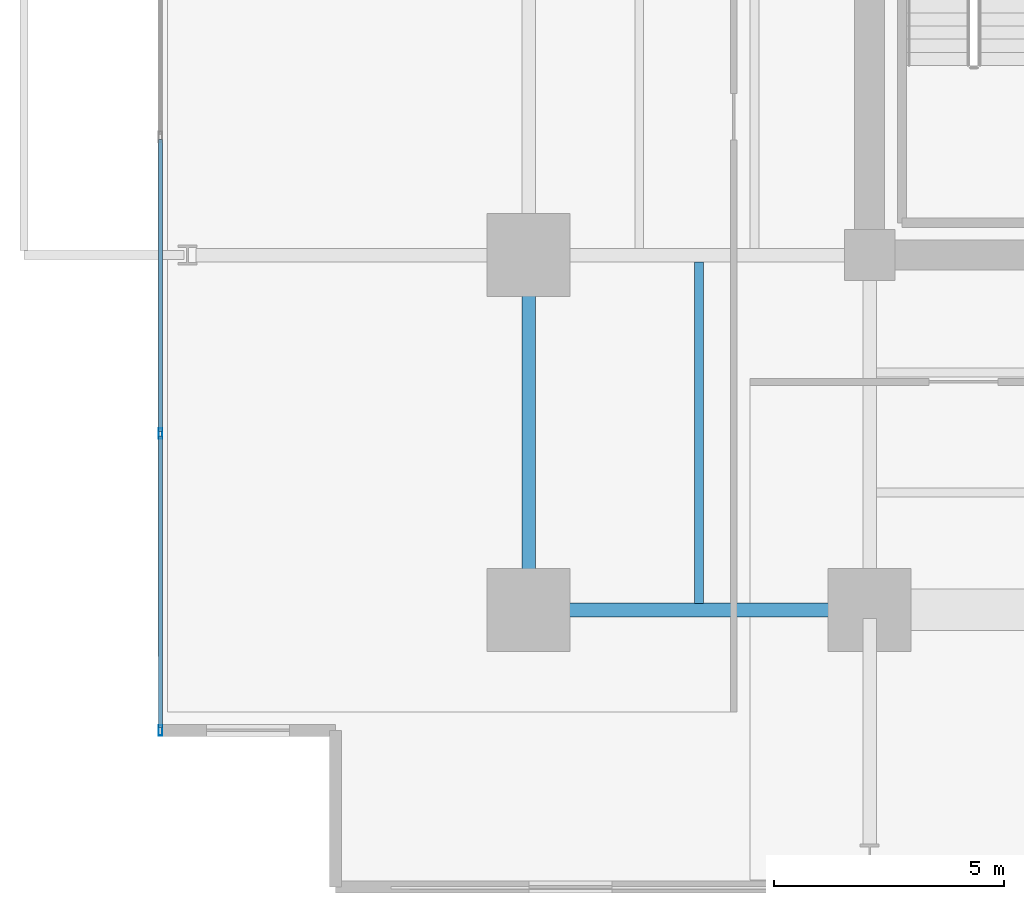
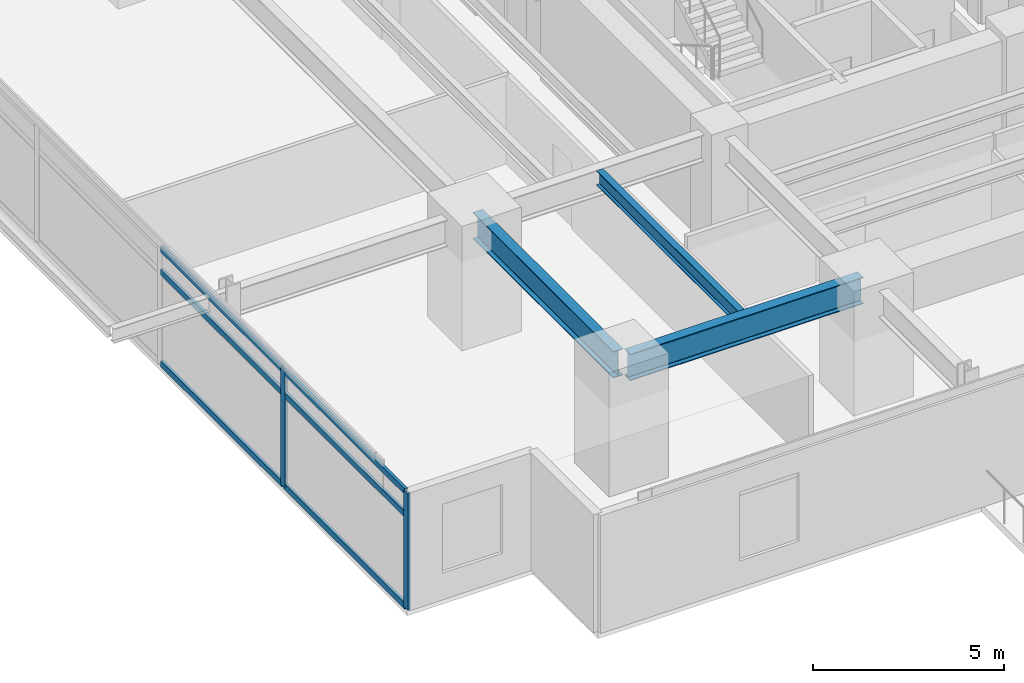
# One storey, part 2 of 24: 8 members, 3 beams, 1 element without a shape of its own.
"""IFC4 building model written with IfcOpenShell, lengths in metres."""

from ifc_helpers import new_model, si_unit, direction, frame, origin, origin_2d, place, context, subcontext, project, spatial, hollow_rectangle, i_section, extrude, material, material_profile, profile_set, type_object, element, aggregate, save


model = new_model("IFC4")

# Units and contexts
model_context = context("Model", 3, precision=1e-05, world=origin(), true_north=direction((0.0, 1.0)))
body_context = subcontext(model_context, "Body", "Model", "MODEL_VIEW")
ifc_project = project(units=[si_unit("LENGTHUNIT", "METRE"), si_unit("AREAUNIT", "SQUARE_METRE"), si_unit("VOLUMEUNIT", "CUBIC_METRE"), si_unit("PLANEANGLEUNIT", "RADIAN"), si_unit("MASSUNIT", "GRAM", prefix="KILO")], contexts=[model_context])

# Site, building, storey
site_placement = place(None, origin())
site = spatial("IfcSite", under=ifc_project, at=site_placement, CompositionType="ELEMENT")
building_placement = place(site_placement, origin())
building = spatial("IfcBuilding", under=site, at=building_placement, Name="Kovane Verandah Tower", CompositionType="ELEMENT")
storey_placement = place(building_placement, frame((0.0, 0.0, 95.60009765625)))
storey = spatial("IfcBuildingStorey", under=building, at=storey_placement, Name="L22", CompositionType="ELEMENT", Elevation=95.60009765625)

# Beams
ifc_material_1 = material(Name="Steel S355", Category="steel")
ifc_material_profile_1 = material_profile(ifc_material_1, i_section(OverallWidth=0.293701171875, OverallDepth=0.850830078125, WebThickness=0.01611328125, FlangeThickness=0.02685546875, FilletRadius=0.017822265625, at=origin_2d()), Name="UB838x292x226")
ifc_profile_set_1 = profile_set([ifc_material_profile_1], Name="Steel S355")
beam_type_1 = type_object("IfcBeamType", Name="BM-UB838x226", PredefinedType="BEAM", material=ifc_profile_set_1)
beam_1_placement = place(storey_placement, frame((21.780029296875, 10.800048828125, 3.33447265625), z_axis=(1.0, 0.0, 0.0), x_axis=(0.0, 1.0, 0.0)))
element("IfcBeam", 1, at=beam_1_placement, inside=storey, type_object=beam_type_1, Name="L22 Primary Tower Girder G-RS1", PredefinedType="BEAM", context=body_context, shape_type="SweptSolid", body=[
    extrude(i_section(OverallWidth=0.293701171875, OverallDepth=0.850830078125, WebThickness=0.01611328125, FlangeThickness=0.02685546875, FilletRadius=0.017822265625, at=origin_2d()), origin(), (0.0, 0.0, 1.0), 7.0400390625),
])
beam_2_placement = place(storey_placement, frame((21.60009765625, 10.97998046875, 3.33447265625), z_axis=(0.0, 1.0, 0.0), x_axis=(-1.0, 0.0, 0.0)))
element("IfcBeam", 2, at=beam_2_placement, inside=storey, type_object=beam_type_1, Name="L22 Primary Tower Girder G-RW1", PredefinedType="BEAM", context=body_context, shape_type="SweptSolid", body=[
    extrude(i_section(OverallWidth=0.293701171875, OverallDepth=0.850830078125, WebThickness=0.01611328125, FlangeThickness=0.02685546875, FilletRadius=0.017822265625, at=origin_2d()), origin(), (0.0, 0.0, 1.0), 7.340087890625),
])

# Curtain wall, members
ifc_material_2 = material(Name="Champagne Anodised Aluminium Frame with Low-E Clear Laminated Glass", Category="aluminium")
curtain_wall_type = type_object("IfcCurtainWallType", Name="CW-SYS-02-LOW", PredefinedType="NOTDEFINED", material=ifc_material_2)
curtain_wall_placement = place(storey_placement, origin())
curtain_wall = element("IfcCurtainWall", 3, at=curtain_wall_placement, inside=storey, type_object=curtain_wall_type, Name="L22 W Unitised Curtain Wall", PredefinedType="NOTDEFINED")
ifc_material_3 = material(Name="Champagne Anodised Aluminium 6063-T6", Category="aluminium")
ifc_material_profile_2 = material_profile(ifc_material_3, hollow_rectangle(XDim=0.0849609375, YDim=0.22998046875, WallThickness=0.00390625, at=origin_2d()), Name="AL85x230x4")
ifc_profile_set_2 = profile_set([ifc_material_profile_2], Name="Champagne Anodised Aluminium 6063-T6")
member_type_1 = type_object("IfcMemberType", Name="CW-MUL-85x230", PredefinedType="MULLION", material=ifc_profile_set_2)
member_1_placement = place(storey_placement, frame((13.613037109375, 14.626220703125, 0.02001953125), z_axis=(0.0, 0.0, 1.0), x_axis=(-1.0, 0.0, 0.0)))
member_1 = element("IfcMember", 4, at=member_1_placement, type_object=member_type_1, Name="L22 W Unitised Curtain Wall Mullion 6", PredefinedType="MULLION", context=body_context, shape_type="SweptSolid", body=[
    extrude(hollow_rectangle(XDim=0.0849609375, YDim=0.22998046875, WallThickness=0.00390625, at=origin_2d()), origin(), (0.0, 0.0, 1.0), 3.719970703125),
])
member_2_placement = place(storey_placement, frame((13.613037109375, 8.189208984375, 0.02001953125), z_axis=(0.0, 0.0, 1.0), x_axis=(-1.0, 0.0, 0.0)))
member_2 = element("IfcMember", 5, at=member_2_placement, type_object=member_type_1, Name="L22 W Unitised Curtain Wall Mullion 7", PredefinedType="MULLION", context=body_context, shape_type="SweptSolid", body=[
    extrude(hollow_rectangle(XDim=0.0849609375, YDim=0.22998046875, WallThickness=0.00390625, at=origin_2d()), origin(), (0.0, 0.0, 1.0), 3.719970703125),
])
ifc_material_profile_3 = material_profile(ifc_material_3, hollow_rectangle(XDim=0.0849609375, YDim=0.18994140625, WallThickness=0.00390625, at=origin_2d()), Name="AL85x190x4")
ifc_profile_set_3 = profile_set([ifc_material_profile_3], Name="Champagne Anodised Aluminium 6063-T6")
member_type_2 = type_object("IfcMemberType", Name="CW-TRN-85x190", PredefinedType="USERDEFINED", material=ifc_profile_set_3)
member_3_placement = place(storey_placement, frame((13.613037109375, 21.012939453125, 0.0498046875), z_axis=(0.0, -1.0, 0.0), x_axis=(1.0, 0.0, 0.0)))
member_3 = element("IfcMember", 6, at=member_3_placement, type_object=member_type_2, Name="L22 W Unitised Curtain Wall Transom TB Bay 5", ObjectType="TRANSOM", PredefinedType="USERDEFINED", context=body_context, shape_type="SweptSolid", body=[
    extrude(hollow_rectangle(XDim=0.0849609375, YDim=0.18994140625, WallThickness=0.00390625, at=origin_2d()), origin(), (0.0, 0.0, 1.0), 6.3369140625),
])
member_4_placement = place(storey_placement, frame((13.613037109375, 21.012939453125, 2.97998046875), z_axis=(0.0, -1.0, 0.0), x_axis=(1.0, 0.0, 0.0)))
member_4 = element("IfcMember", 7, at=member_4_placement, type_object=member_type_2, Name="L22 W Unitised Curtain Wall Transom TM Bay 5", ObjectType="TRANSOM", PredefinedType="USERDEFINED", context=body_context, shape_type="SweptSolid", body=[
    extrude(hollow_rectangle(XDim=0.0849609375, YDim=0.18994140625, WallThickness=0.00390625, at=origin_2d()), origin(), (0.0, 0.0, 1.0), 6.3369140625),
])
member_5_placement = place(storey_placement, frame((13.613037109375, 21.012939453125, 3.7099609375), z_axis=(0.0, -1.0, 0.0), x_axis=(1.0, 0.0, 0.0)))
member_5 = element("IfcMember", 8, at=member_5_placement, type_object=member_type_2, Name="L22 W Unitised Curtain Wall Transom TT Bay 5", ObjectType="TRANSOM", PredefinedType="USERDEFINED", context=body_context, shape_type="SweptSolid", body=[
    extrude(hollow_rectangle(XDim=0.0849609375, YDim=0.18994140625, WallThickness=0.00390625, at=origin_2d()), origin(), (0.0, 0.0, 1.0), 6.3369140625),
])
member_6_placement = place(storey_placement, frame((13.613037109375, 14.576171875, 0.0498046875), z_axis=(0.0, -1.0, 0.0), x_axis=(1.0, 0.0, 0.0)))
member_6 = element("IfcMember", 9, at=member_6_placement, type_object=member_type_2, Name="L22 W Unitised Curtain Wall Transom TB Bay 6", ObjectType="TRANSOM", PredefinedType="USERDEFINED", context=body_context, shape_type="SweptSolid", body=[
    extrude(hollow_rectangle(XDim=0.0849609375, YDim=0.18994140625, WallThickness=0.00390625, at=origin_2d()), origin(), (0.0, 0.0, 1.0), 6.337158203125),
])
member_7_placement = place(storey_placement, frame((13.613037109375, 14.576171875, 2.97998046875), z_axis=(0.0, -1.0, 0.0), x_axis=(1.0, 0.0, 0.0)))
member_7 = element("IfcMember", 10, at=member_7_placement, type_object=member_type_2, Name="L22 W Unitised Curtain Wall Transom TM Bay 6", ObjectType="TRANSOM", PredefinedType="USERDEFINED", context=body_context, shape_type="SweptSolid", body=[
    extrude(hollow_rectangle(XDim=0.0849609375, YDim=0.18994140625, WallThickness=0.00390625, at=origin_2d()), origin(), (0.0, 0.0, 1.0), 6.337158203125),
])
member_8_placement = place(storey_placement, frame((13.613037109375, 14.576171875, 3.7099609375), z_axis=(0.0, -1.0, 0.0), x_axis=(1.0, 0.0, 0.0)))
member_8 = element("IfcMember", 11, at=member_8_placement, type_object=member_type_2, Name="L22 W Unitised Curtain Wall Transom TT Bay 6", ObjectType="TRANSOM", PredefinedType="USERDEFINED", context=body_context, shape_type="SweptSolid", body=[
    extrude(hollow_rectangle(XDim=0.0849609375, YDim=0.18994140625, WallThickness=0.00390625, at=origin_2d()), origin(), (0.0, 0.0, 1.0), 6.337158203125),
])
aggregate(curtain_wall, [member_1, member_2, member_3, member_4, member_5, member_6, member_7, member_8])

# Beam
ifc_material_profile_4 = material_profile(ifc_material_1, i_section(OverallWidth=0.19287109375, OverallDepth=0.46728515625, WebThickness=0.011474609375, FlangeThickness=0.01953125, FilletRadius=0.01025390625, at=origin_2d()), Name="UB457x191x98")
ifc_profile_set_4 = profile_set([ifc_material_profile_4], Name="Steel S355")
beam_type_2 = type_object("IfcBeamType", Name="JST-UB457x98", PredefinedType="JOIST", material=ifc_profile_set_4)
beam_3_placement = place(storey_placement, frame((25.300048828125, 10.94482421875, 3.5263671875), z_axis=(0.0, 1.0, 0.0), x_axis=(-1.0, 0.0, 0.0)))
element("IfcBeam", 12, at=beam_3_placement, inside=storey, type_object=beam_type_2, Name="L22 Secondary Composite Joist J-SW1", PredefinedType="JOIST", context=body_context, shape_type="SweptSolid", body=[
    extrude(i_section(OverallWidth=0.19287109375, OverallDepth=0.46728515625, WebThickness=0.011474609375, FlangeThickness=0.01953125, FilletRadius=0.01025390625, at=origin_2d()), origin(), (0.0, 0.0, 1.0), 7.41015625),
])

save(model, "model.ifc")
